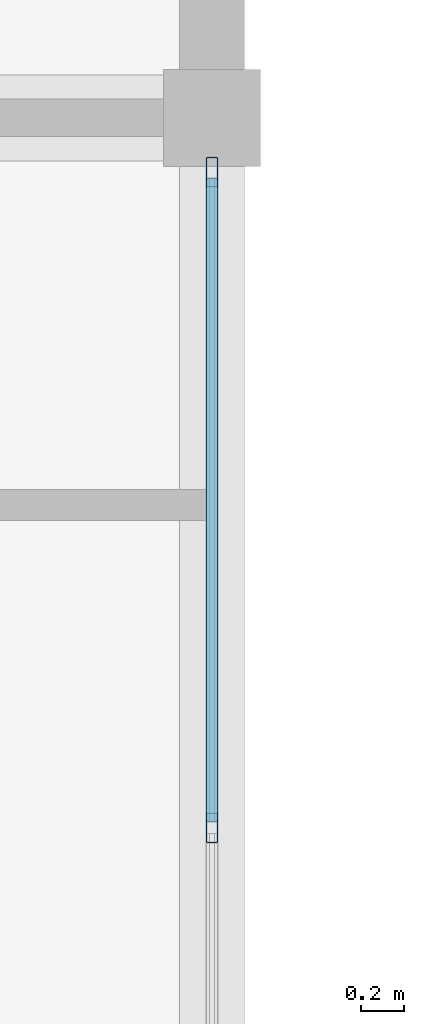
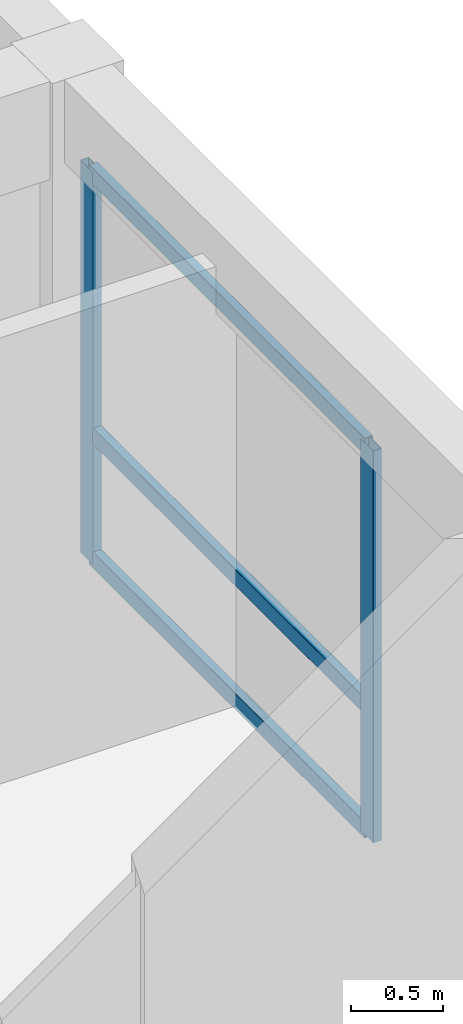
# One storey, part 9 of 52: 5 members, 1 element without a shape of its own.
"""IFC4 building model written with IfcOpenShell, lengths in metres."""

from ifc_helpers import new_model, si_unit, direction, frame, origin, origin_2d, place, context, subcontext, project, spatial, hollow_rectangle, extrude, material, material_profile, profile_set, type_object, element, aggregate, save


model = new_model("IFC4")

# Units and contexts
model_context = context("Model", 3, precision=1e-05, world=origin(), true_north=direction((0.0, 1.0)))
body_context = subcontext(model_context, "Body", "Model", "MODEL_VIEW")
ifc_project = project(units=[si_unit("LENGTHUNIT", "METRE"), si_unit("AREAUNIT", "SQUARE_METRE"), si_unit("VOLUMEUNIT", "CUBIC_METRE"), si_unit("PLANEANGLEUNIT", "RADIAN"), si_unit("MASSUNIT", "GRAM", prefix="KILO")], contexts=[model_context])

# Site, building, storey
site_placement = place(None, origin())
site = spatial("IfcSite", under=ifc_project, at=site_placement, CompositionType="ELEMENT")
building_placement = place(site_placement, origin())
building = spatial("IfcBuilding", under=site, at=building_placement, Name="Kernevlak Ridge Housing Community", CompositionType="ELEMENT")
storey_placement = place(building_placement, frame((0.0, 0.0, 11.60009765625)))
storey = spatial("IfcBuildingStorey", under=building, at=storey_placement, Name="L03", CompositionType="ELEMENT", Elevation=11.60009765625)

# Curtain wall, members
ifc_material_1 = material(Name="Aluminium EN AW-6060 anodised and laminated glass", Category="aluminium")
curtain_wall_type = type_object("IfcCurtainWallType", Name="CW-01", PredefinedType="NOTDEFINED", material=ifc_material_1)
curtain_wall_placement = place(storey_placement, origin())
curtain_wall = element("IfcCurtainWall", 1, at=curtain_wall_placement, inside=storey, type_object=curtain_wall_type, Name="Curtain wall CW-01 CW-L03-150", PredefinedType="NOTDEFINED")
ifc_material_2 = material(Name="Aluminium EN AW-6060 anodised", Category="aluminium")
ifc_material_profile_1 = material_profile(ifc_material_2, hollow_rectangle(XDim=0.054931640625, YDim=0.139892578125, WallThickness=0.00390625, InnerFilletRadius=0.001953125, OuterFilletRadius=0.00390625, at=origin_2d()), Name="ALU 55x140x4")
ifc_profile_set_1 = profile_set([ifc_material_profile_1], Name="Aluminium EN AW-6060 anodised")
member_type_1 = type_object("IfcMemberType", Name="MU-01", PredefinedType="MULLION", material=ifc_profile_set_1)
member_1_placement = place(storey_placement, frame((42.0, 25.5, 0.0), z_axis=(0.0, 0.0, 1.0), x_axis=(-1.0, 0.0, 0.0)))
member_1 = element("IfcMember", 2, at=member_1_placement, type_object=member_type_1, Name="CW-01 mullion 2", PredefinedType="MULLION", context=body_context, shape_type="SweptSolid", body=[
    extrude(hollow_rectangle(XDim=0.054931640625, YDim=0.139892578125, WallThickness=0.00390625, InnerFilletRadius=0.001953125, OuterFilletRadius=0.00390625, at=origin_2d()), origin(), (0.0, 0.0, 1.0), 2.599853515625),
])
member_2_placement = place(storey_placement, frame((42.0, 28.547607421875, 0.0), z_axis=(0.0, 0.0, 1.0), x_axis=(-1.0, 0.0, 0.0)))
member_2 = element("IfcMember", 3, at=member_2_placement, type_object=member_type_1, Name="CW-01 mullion 3", PredefinedType="MULLION", context=body_context, shape_type="SweptSolid", body=[
    extrude(hollow_rectangle(XDim=0.054931640625, YDim=0.139892578125, WallThickness=0.00390625, InnerFilletRadius=0.001953125, OuterFilletRadius=0.00390625, at=origin_2d()), origin(), (0.0, 0.0, 1.0), 2.599853515625),
])
ifc_material_profile_2 = material_profile(ifc_material_2, hollow_rectangle(XDim=0.054931640625, YDim=0.110107421875, WallThickness=0.00390625, InnerFilletRadius=0.001953125, OuterFilletRadius=0.00390625, at=origin_2d()), Name="ALU 55x110x4")
ifc_profile_set_2 = profile_set([ifc_material_profile_2], Name="Aluminium EN AW-6060 anodised")
member_type_2 = type_object("IfcMemberType", Name="TM-01", PredefinedType="USERDEFINED", material=ifc_profile_set_2)
member_3_placement = place(storey_placement, frame((42.0, 25.527587890625, 0.02734375), z_axis=(0.0, 1.0, 0.0), x_axis=(-1.0, 0.0, 0.0)))
member_3 = element("IfcMember", 4, at=member_3_placement, type_object=member_type_2, Name="CW-01 transom 2.1", ObjectType="TRANSOM", PredefinedType="USERDEFINED", context=body_context, shape_type="SweptSolid", body=[
    extrude(hollow_rectangle(XDim=0.054931640625, YDim=0.110107421875, WallThickness=0.00390625, InnerFilletRadius=0.001953125, OuterFilletRadius=0.00390625, at=origin_2d()), origin(), (0.0, 0.0, 1.0), 2.992431640625),
])
member_4_placement = place(storey_placement, frame((42.0, 25.527587890625, 0.849853515625), z_axis=(0.0, 1.0, 0.0), x_axis=(-1.0, 0.0, 0.0)))
member_4 = element("IfcMember", 5, at=member_4_placement, type_object=member_type_2, Name="CW-01 transom 2.2", ObjectType="TRANSOM", PredefinedType="USERDEFINED", context=body_context, shape_type="SweptSolid", body=[
    extrude(hollow_rectangle(XDim=0.054931640625, YDim=0.110107421875, WallThickness=0.00390625, InnerFilletRadius=0.001953125, OuterFilletRadius=0.00390625, at=origin_2d()), origin(), (0.0, 0.0, 1.0), 2.992431640625),
])
member_5_placement = place(storey_placement, frame((42.0, 25.527587890625, 2.572509765625), z_axis=(0.0, 1.0, 0.0), x_axis=(-1.0, 0.0, 0.0)))
member_5 = element("IfcMember", 6, at=member_5_placement, type_object=member_type_2, Name="CW-01 transom 2.3", ObjectType="TRANSOM", PredefinedType="USERDEFINED", context=body_context, shape_type="SweptSolid", body=[
    extrude(hollow_rectangle(XDim=0.054931640625, YDim=0.110107421875, WallThickness=0.00390625, InnerFilletRadius=0.001953125, OuterFilletRadius=0.00390625, at=origin_2d()), origin(), (0.0, 0.0, 1.0), 2.992431640625),
])
aggregate(curtain_wall, [member_1, member_2, member_3, member_4, member_5])

save(model, "model.ifc")
